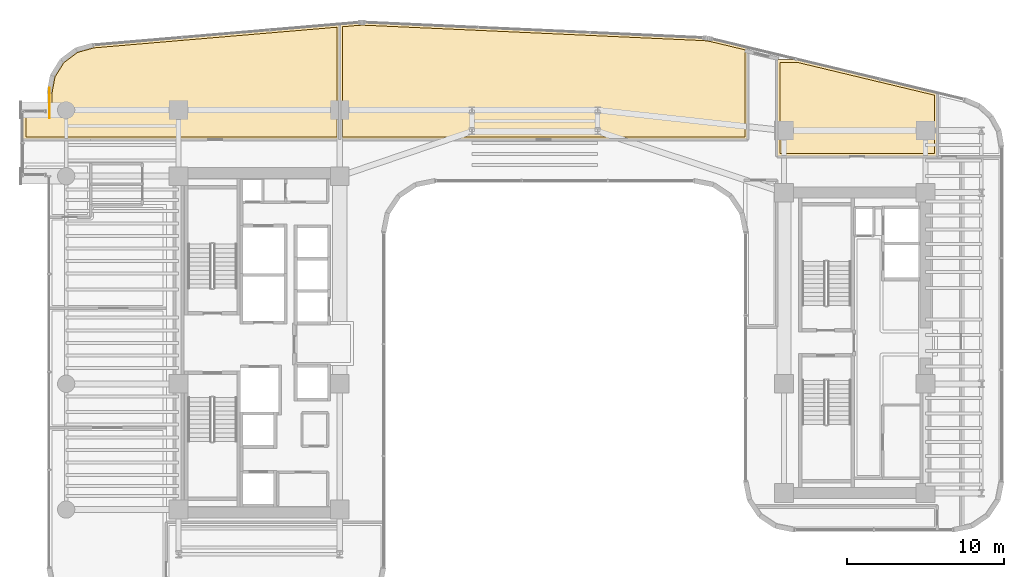
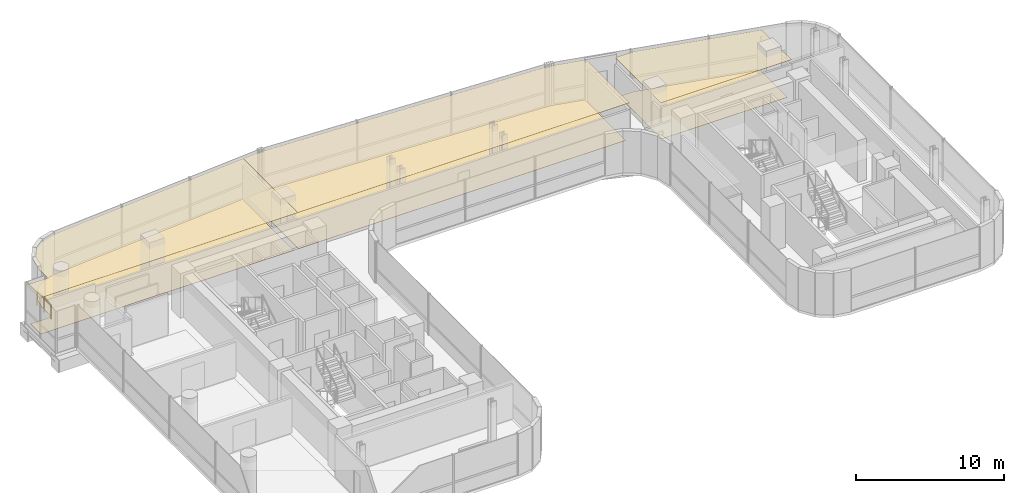
# One storey, part 34 of 34: 6 coverings, 1 railing.
"""IFC4 building model written with IfcOpenShell, lengths in metres."""

from ifc_helpers import new_model, si_unit, direction, frame, origin, origin_2d, place, context, subcontext, project, spatial, polyline, circle, outline, extrude, material, layer, layer_set, type_object, element, save


model = new_model("IFC4")

# Units and contexts
model_context = context("Model", 3, precision=1e-05, world=origin(), true_north=direction((0.0, 1.0)))
body_context = subcontext(model_context, "Body", "Model", "MODEL_VIEW")
ifc_project = project(units=[si_unit("LENGTHUNIT", "METRE"), si_unit("AREAUNIT", "SQUARE_METRE"), si_unit("VOLUMEUNIT", "CUBIC_METRE"), si_unit("PLANEANGLEUNIT", "RADIAN"), si_unit("MASSUNIT", "GRAM", prefix="KILO")], contexts=[model_context])

# Site, building, storey
site_placement = place(None, origin())
site = spatial("IfcSite", under=ifc_project, at=site_placement, CompositionType="ELEMENT")
building_placement = place(site_placement, origin())
building = spatial("IfcBuilding", under=site, at=building_placement, Name="Valdorenza Pilgrim Sanctuary Tower", CompositionType="ELEMENT")
storey_placement = place(building_placement, frame((0.0, 0.0, 120.5)))
storey = spatial("IfcBuildingStorey", under=building, at=storey_placement, Name="L30", CompositionType="ELEMENT", Elevation=120.5)

# Coverings
ifc_material_1 = material(Name="Micro-perforated acoustic mineral ceiling tile", Category="gypsum")
ifc_layer_1 = layer(ifc_material_1, 0.02490234375, Name="Micro-perforated acoustic mineral ceiling tile")
ifc_layer_set_1 = layer_set([ifc_layer_1], Name="Micro-perforated acoustic mineral ceiling tile")
covering_type_1 = type_object("IfcCoveringType", Name="COV-CLG-ACU", PredefinedType="CEILING", material=ifc_layer_set_1)
covering_1_placement = place(storey_placement, frame((0.0, 0.0, 3.159912109375)))
element("IfcCovering", 1, at=covering_1_placement, inside=storey, type_object=covering_type_1, Name="L30 Sanctuary Administration Office L30-N1 Acoustic Ceiling", PredefinedType="CEILING", context=body_context, shape_type="SweptSolid", body=[
    extrude(outline(polyline([(-32.5400390625, 12.905029296875), (-32.54150390625, 12.905029296875), (-32.54296875, 12.9052734375), (-32.54443359375, 12.905517578125), (-32.545654296875, 12.906005859375), (-32.547119140625, 12.90673828125), (-32.54833984375, 12.907470703125), (-32.549560546875, 12.908447265625), (-32.550537109375, 12.909423828125), (-32.551513671875, 12.910400390625), (-32.552490234375, 12.91162109375), (-32.55322265625, 12.912841796875), (-32.553955078125, 12.914306640625), (-32.554443359375, 12.91552734375), (-32.5546875, 12.9169921875), (-32.554931640625, 12.91845703125), (-32.554931640625, 12.919921875), (-32.554931640625, 14.68994140625), (-32.554931640625, 14.69140625), (-32.5546875, 14.69287109375), (-32.554443359375, 14.6943359375), (-32.553955078125, 14.69580078125), (-32.55322265625, 14.697021484375), (-32.552490234375, 14.6982421875), (-32.551513671875, 14.699462890625), (-32.550537109375, 14.70068359375), (-32.549560546875, 14.70166015625), (-32.54833984375, 14.702392578125), (-32.547119140625, 14.703125), (-32.545654296875, 14.703857421875), (-32.54443359375, 14.704345703125), (-32.54296875, 14.70458984375), (-32.54150390625, 14.704833984375), (-32.5400390625, 14.705078125), (-31.00048828125, 14.705078125), (-30.99072265625, 14.70556640625), (-30.9814453125, 14.706787109375), (-30.972412109375, 14.708984375), (-30.963623046875, 14.712158203125), (-30.955078125, 14.71630859375), (-30.947265625, 14.720947265625), (-30.939697265625, 14.7265625), (-30.932861328125, 14.73291015625), (-30.926513671875, 14.73974609375), (-30.9208984375, 14.747314453125), (-30.916259765625, 14.755126953125), (-30.912109375, 14.763671875), (-30.9091796875, 14.7724609375), (-30.90673828125, 14.781494140625), (-30.905517578125, 14.790771484375), (-30.905029296875, 14.80029296875), (-30.905029296875, 15.850341796875), (-30.90478515625, 15.8515625), (-30.90478515625, 15.85302734375), (-30.692138671875, 16.984130859375), (-30.69189453125, 16.985595703125), (-30.69140625, 16.98681640625), (-30.69091796875, 16.98828125), (-30.690185546875, 16.989501953125), (-30.0869140625, 17.95751953125), (-30.086181640625, 17.958740234375), (-30.085205078125, 17.959716796875), (-30.084228515625, 17.960693359375), (-30.083251953125, 17.961669921875), (-29.169677734375, 18.64453125), (-29.16845703125, 18.6455078125), (-29.167236328125, 18.64599609375), (-29.166015625, 18.646484375), (-29.164794921875, 18.647216796875), (-28.055419921875, 18.95458984375), (-28.05419921875, 18.955078125), (-28.052734375, 18.955078125), (-12.4013671875, 20.285400390625), (-12.39990234375, 20.28564453125), (-12.3984375, 20.285400390625), (-12.39697265625, 20.285400390625), (-12.3955078125, 20.284912109375), (-12.39404296875, 20.284423828125), (-12.392822265625, 20.28369140625), (-12.3916015625, 20.282958984375), (-12.390380859375, 20.281982421875), (-12.389404296875, 20.281005859375), (-12.388427734375, 20.280029296875), (-12.387451171875, 20.27880859375), (-12.38671875, 20.277587890625), (-12.385986328125, 20.2763671875), (-12.385498046875, 20.27490234375), (-12.38525390625, 20.2734375), (-12.385009765625, 20.27197265625), (-12.385009765625, 20.2705078125), (-12.385009765625, 12.919921875), (-12.385009765625, 12.91845703125), (-12.38525390625, 12.9169921875), (-12.385498046875, 12.91552734375), (-12.385986328125, 12.914306640625), (-12.38671875, 12.912841796875), (-12.387451171875, 12.91162109375), (-12.388427734375, 12.910400390625), (-12.389404296875, 12.909423828125), (-12.390380859375, 12.908447265625), (-12.3916015625, 12.907470703125), (-12.392822265625, 12.90673828125), (-12.394287109375, 12.906005859375), (-12.3955078125, 12.905517578125), (-12.397216796875, 12.9052734375), (-12.3984375, 12.905029296875), (-12.39990234375, 12.905029296875), (-32.5400390625, 12.905029296875)])), origin(), (0.0, 0.0, 1.0), 0.025146484375),
])
covering_2_placement = place(storey_placement, frame((0.0, 0.0, 3.159912109375)))
element("IfcCovering", 2, at=covering_2_placement, inside=storey, type_object=covering_type_1, Name="L30 Sanctuary Administration Office L30-N2 Acoustic Ceiling", PredefinedType="CEILING", context=body_context, shape_type="SweptSolid", body=[
    extrude(outline(polyline([(-12.4130859375, 20.2705078125), (-12.4130859375, 20.271484375), (-12.412841796875, 20.27294921875), (-12.41259765625, 20.2744140625), (-12.412109375, 20.275634765625), (-12.41162109375, 20.277099609375), (-12.410888671875, 20.2783203125), (-12.41015625, 20.279541015625), (-12.4091796875, 20.280517578125), (-12.408203125, 20.28173828125), (-12.4072265625, 20.28271484375), (-12.406005859375, 20.283447265625), (-12.40478515625, 20.2841796875), (-12.403564453125, 20.28466796875), (-12.402099609375, 20.28515625), (-12.400634765625, 20.285400390625), (-12.3994140625, 20.28564453125), (-11.20068359375, 20.3876953125), (-11.200439453125, 20.3876953125), (-11.099365234375, 20.39453125), (-11.098876953125, 20.39453125), (-10.998291015625, 20.398193359375), (-10.997802734375, 20.398193359375), (-10.897216796875, 20.398681640625), (-10.896728515625, 20.398681640625), (-10.79541015625, 20.3955078125), (-10.795166015625, 20.3955078125), (10.690673828125, 19.4189453125), (10.69091796875, 19.4189453125), (10.838134765625, 19.40869140625), (10.8388671875, 19.40869140625), (10.984375, 19.3916015625), (10.985107421875, 19.3916015625), (11.12939453125, 19.36767578125), (11.130126953125, 19.36767578125), (11.274658203125, 19.336669921875), (11.27490234375, 19.33642578125), (13.553466796875, 18.791015625), (13.554931640625, 18.790771484375), (13.55615234375, 18.790283203125), (13.5576171875, 18.78955078125), (13.55859375, 18.788818359375), (13.559814453125, 18.787841796875), (13.560791015625, 18.786865234375), (13.561767578125, 18.785888671875), (13.5625, 18.78466796875), (13.563232421875, 18.783447265625), (13.56396484375, 18.781982421875), (13.564453125, 18.78076171875), (13.564697265625, 18.779296875), (13.56494140625, 18.778076171875), (13.56494140625, 18.776611328125), (13.56494140625, 12.919921875), (13.56494140625, 12.91845703125), (13.564697265625, 12.9169921875), (13.564453125, 12.91552734375), (13.56396484375, 12.914306640625), (13.563232421875, 12.912841796875), (13.5625, 12.91162109375), (13.5615234375, 12.910400390625), (13.560546875, 12.909423828125), (13.5595703125, 12.908447265625), (13.558349609375, 12.907470703125), (13.55712890625, 12.90673828125), (13.5556640625, 12.906005859375), (13.554443359375, 12.905517578125), (13.552978515625, 12.9052734375), (13.551513671875, 12.905029296875), (13.550048828125, 12.905029296875), (-12.39794921875, 12.905029296875), (-12.3994140625, 12.905029296875), (-12.40087890625, 12.9052734375), (-12.40234375, 12.905517578125), (-12.40380859375, 12.906005859375), (-12.405029296875, 12.90673828125), (-12.40625, 12.907470703125), (-12.407470703125, 12.908447265625), (-12.40869140625, 12.909423828125), (-12.40966796875, 12.910400390625), (-12.410400390625, 12.91162109375), (-12.4111328125, 12.912841796875), (-12.411865234375, 12.914306640625), (-12.412353515625, 12.91552734375), (-12.41259765625, 12.9169921875), (-12.412841796875, 12.91845703125), (-12.4130859375, 12.919921875), (-12.4130859375, 20.2705078125), (-12.4130859375, 20.2705078125)])), origin(), (0.0, 0.0, 1.0), 0.025146484375),
])
covering_3_placement = place(storey_placement, frame((0.0, 0.0, 3.159912109375)))
element("IfcCovering", 3, at=covering_3_placement, inside=storey, type_object=covering_type_1, Name="L30 Curator Research Office L30-BN1 Acoustic Ceiling", PredefinedType="CEILING", context=body_context, shape_type="SweptSolid", body=[
    extrude(outline(polyline([(15.39990234375, 11.8349609375), (15.3984375, 11.835205078125), (15.397216796875, 11.835205078125), (15.3955078125, 11.835693359375), (15.394287109375, 11.836181640625), (15.392822265625, 11.8369140625), (15.3916015625, 11.83740234375), (15.390380859375, 11.83837890625), (15.389404296875, 11.83935546875), (15.388427734375, 11.840576171875), (15.387451171875, 11.841796875), (15.38671875, 11.843017578125), (15.385986328125, 11.84423828125), (15.385498046875, 11.845703125), (15.38525390625, 11.84716796875), (15.385009765625, 11.848388671875), (15.385009765625, 11.85009765625), (15.385009765625, 18.0), (15.385009765625, 18.00146484375), (15.38525390625, 18.0029296875), (15.385498046875, 18.00439453125), (15.385986328125, 18.005615234375), (15.38671875, 18.007080078125), (15.387451171875, 18.00830078125), (15.388427734375, 18.009521484375), (15.389404296875, 18.010498046875), (15.390380859375, 18.01171875), (15.3916015625, 18.012451171875), (15.392822265625, 18.01318359375), (15.394287109375, 18.013916015625), (15.3955078125, 18.014404296875), (15.397216796875, 18.0146484375), (15.3984375, 18.014892578125), (15.39990234375, 18.014892578125), (16.794189453125, 18.014892578125), (16.7958984375, 18.014892578125), (16.797607421875, 18.0146484375), (25.603515625, 15.90673828125), (25.60498046875, 15.906494140625), (25.606201171875, 15.906005859375), (25.607421875, 15.9052734375), (25.608642578125, 15.904541015625), (25.60986328125, 15.903564453125), (25.61083984375, 15.902587890625), (25.61181640625, 15.901611328125), (25.612548828125, 15.900390625), (25.61328125, 15.899169921875), (25.614013671875, 15.897705078125), (25.614501953125, 15.896484375), (25.61474609375, 15.89501953125), (25.614990234375, 15.893798828125), (25.614990234375, 15.892333984375), (25.614990234375, 11.85009765625), (25.614990234375, 11.848388671875), (25.61474609375, 11.84716796875), (25.614501953125, 11.845703125), (25.614013671875, 11.84423828125), (25.61328125, 11.843017578125), (25.612548828125, 11.841796875), (25.611572265625, 11.840576171875), (25.610595703125, 11.83935546875), (25.609619140625, 11.83837890625), (25.6083984375, 11.83740234375), (25.607177734375, 11.8369140625), (25.605712890625, 11.836181640625), (25.6044921875, 11.835693359375), (25.602783203125, 11.835205078125), (25.6015625, 11.835205078125), (25.60009765625, 11.8349609375), (15.39990234375, 11.8349609375)])), origin(), (0.0, 0.0, 1.0), 0.025146484375),
])
ifc_material_2 = material(Name="Honed travertine stone flooring", Category="masonry")
ifc_layer_2 = layer(ifc_material_2, 0.030029296875, Name="Honed travertine stone flooring")
ifc_layer_set_2 = layer_set([ifc_layer_2], Name="Honed travertine stone flooring")
covering_type_2 = type_object("IfcCoveringType", Name="COV-FLR-TRV", PredefinedType="FLOORING", material=ifc_layer_set_2)
covering_4_placement = place(storey_placement, origin())
element("IfcCovering", 4, at=covering_4_placement, inside=storey, type_object=covering_type_2, Name="L30 Sanctuary Administration Office L30-N1 Flooring", PredefinedType="FLOORING", context=body_context, shape_type="SweptSolid", body=[
    extrude(outline(polyline([(-32.360107421875, 13.10009765625), (-32.360107421875, 14.510009765625), (-31.0, 14.510009765625), (-30.9912109375, 14.51025390625), (-30.98046875, 14.5107421875), (-30.962890625, 14.512451171875), (-30.9521484375, 14.51416015625), (-30.934814453125, 14.517578125), (-30.92431640625, 14.52001953125), (-30.907470703125, 14.525390625), (-30.897216796875, 14.52880859375), (-30.880859375, 14.53564453125), (-30.87109375, 14.540283203125), (-30.855712890625, 14.548583984375), (-30.84619140625, 14.55419921875), (-30.831787109375, 14.56396484375), (-30.822998046875, 14.5703125), (-30.809326171875, 14.58154296875), (-30.80126953125, 14.5888671875), (-30.788818359375, 14.601318359375), (-30.781494140625, 14.609375), (-30.7705078125, 14.623046875), (-30.763916015625, 14.631591796875), (-30.754150390625, 14.646240234375), (-30.74853515625, 14.655517578125), (-30.740234375, 14.671142578125), (-30.735595703125, 14.680908203125), (-30.72900390625, 14.697265625), (-30.725341796875, 14.70751953125), (-30.72021484375, 14.724365234375), (-30.717529296875, 14.73486328125), (-30.714111328125, 14.752197265625), (-30.71240234375, 14.7626953125), (-30.710693359375, 14.780517578125), (-30.710205078125, 14.791259765625), (-30.7099609375, 14.800048828125), (-30.7099609375, 15.83349609375), (-30.5068359375, 16.9150390625), (-29.939208984375, 17.82568359375), (-29.080078125, 18.46826171875), (-28.01953125, 18.76220703125), (-12.580078125, 20.07470703125), (-12.580078125, 13.10009765625), (-32.360107421875, 13.10009765625)])), origin(), (0.0, 0.0, 1.0), 0.02490234375),
])
covering_5_placement = place(storey_placement, origin())
element("IfcCovering", 5, at=covering_5_placement, inside=storey, type_object=covering_type_2, Name="L30 Sanctuary Administration Office L30-N2 Flooring", PredefinedType="FLOORING", context=body_context, shape_type="SweptSolid", body=[
    extrude(outline(polyline([(-12.218017578125, 13.10009765625), (-12.218017578125, 20.105224609375), (-11.185546875, 20.193115234375), (-11.0888671875, 20.199951171875), (-10.994140625, 20.203125), (-10.8994140625, 20.20361328125), (-10.802490234375, 20.20068359375), (10.6796875, 19.224365234375), (10.820556640625, 19.214599609375), (10.95751953125, 19.198486328125), (11.093505859375, 19.176025390625), (11.231689453125, 19.146484375), (13.3701171875, 18.634521484375), (13.3701171875, 13.10009765625), (-12.218017578125, 13.10009765625)])), origin(), (0.0, 0.0, 1.0), 0.02490234375),
])
covering_6_placement = place(storey_placement, origin())
element("IfcCovering", 6, at=covering_6_placement, inside=storey, type_object=covering_type_2, Name="L30 Curator Research Office L30-BN1 Flooring", PredefinedType="FLOORING", context=body_context, shape_type="SweptSolid", body=[
    extrude(outline(polyline([(15.580078125, 12.030029296875), (15.580078125, 17.820068359375), (16.77294921875, 17.820068359375), (25.419921875, 15.750244140625), (25.419921875, 12.030029296875), (15.580078125, 12.030029296875)])), origin(), (0.0, 0.0, 1.0), 0.02490234375),
])

# Railing
ifc_material_3 = material(Name="Stainless steel Grade 316", Category="steel")
railing_type = type_object("IfcRailingType", Name="RLG-GRD-1120", PredefinedType="GUARDRAIL", material=ifc_material_3)
railing_placement = place(storey_placement, frame((-30.860107421875, 14.300048828125, 0.0)))
element("IfcRailing", 7, at=railing_placement, inside=storey, type_object=railing_type, Name="L30 NW Tangent Safety Sill Guard", PredefinedType="GUARDRAIL", context=body_context, shape_type="SweptSolid", body=[
    extrude(circle(Radius=0.02392578125, at=origin_2d()), frame((0.0, 0.0, 1.17578125), z_axis=(0.0, 1.0, 0.0), x_axis=(-1.0, 0.0, 0.0)), (0.0, 0.0, 1.0), 1.89990234375),
    extrude(circle(Radius=0.02099609375, at=origin_2d()), origin(), (0.0, 0.0, 1.0), 1.15185546875),
    extrude(circle(Radius=0.02099609375, at=origin_2d()), frame((0.0, 0.949951171875, 0.0)), (0.0, 0.0, 1.0), 1.15185546875),
    extrude(circle(Radius=0.02099609375, at=origin_2d()), frame((0.0, 1.89990234375, 0.0)), (0.0, 0.0, 1.0), 1.15185546875),
])

save(model, "model.ifc")
